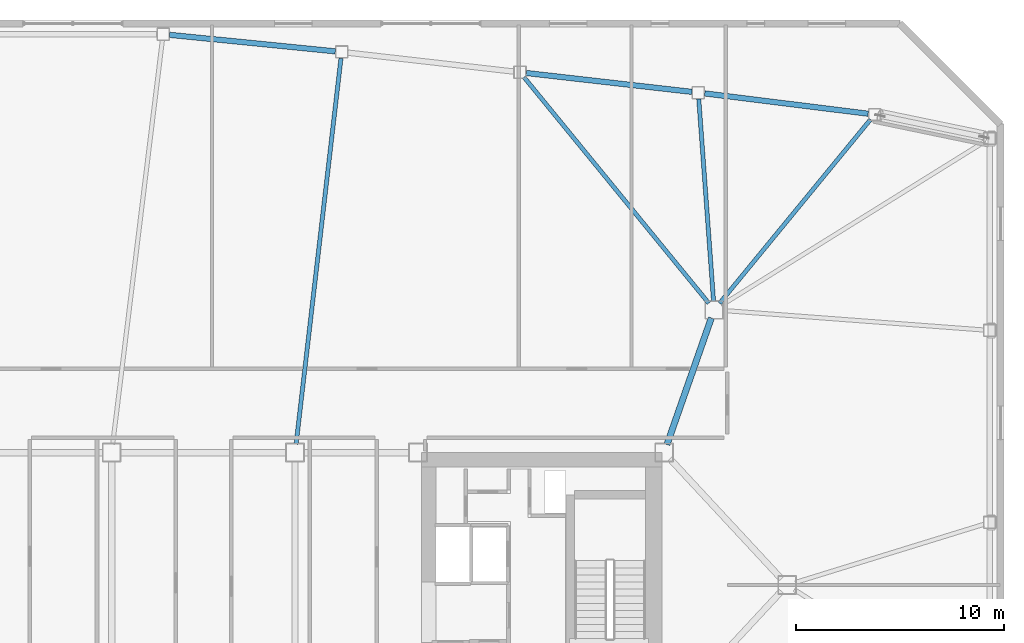
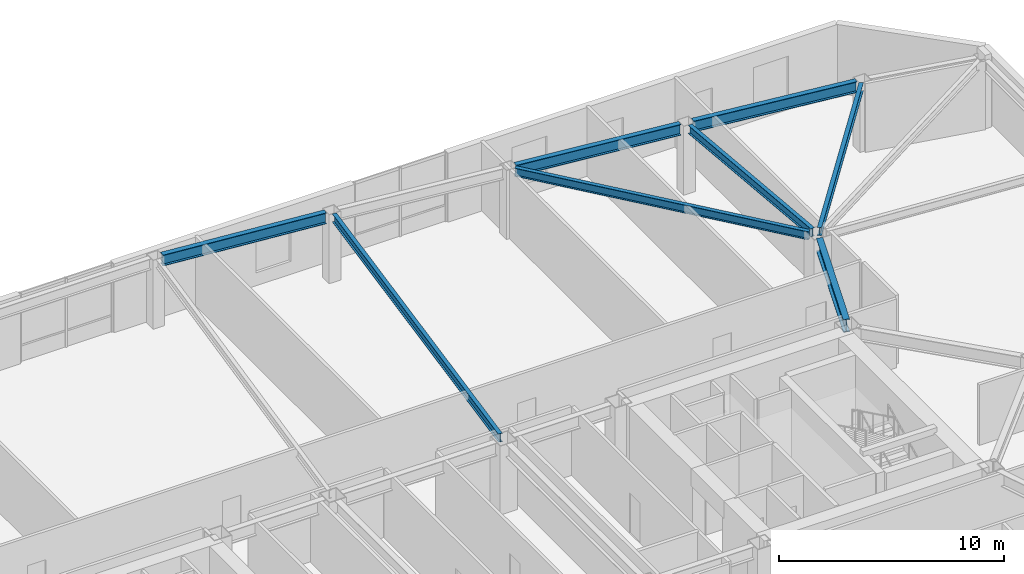
# One storey, part 8 of 19: 8 beams.
"""IFC4 building model written with IfcOpenShell, lengths in metres."""

import ifcopenshell
import ifcopenshell.guid

model = None  # the IFC model being written
_history = None  # IfcOwnerHistory: only IFC2X3 demands one
_inside = {}  # id of a spatial element -> (the spatial element, [elements in it])
_under = {}  # id of a project, library or spatial element -> (it, [spatial elements below it])
_declared = {}  # id of a project -> (the project, [libraries it declares])
_typed = {}  # id of a type object -> (the type object, [elements of that type])
_made_of = {}  # id of a material, layer set ... -> (it, [elements and type objects made of it])


def new_model(schema):
    """Start an empty IFC model of exactly this schema.

    Asked for "IFC4X3", IfcOpenShell would pick the latest addendum, in which some entities
    have other attributes; the version numbers below select the first issue.
    IFC2X3 requires an IfcOwnerHistory on every rooted entity: one is made here for all.
    """
    global model, _history
    if schema == "IFC4X3":
        model = ifcopenshell.file(schema_version=(4, 3, 0, 0))
    else:
        model = ifcopenshell.file(schema=schema)
    _inside.clear()
    _under.clear()
    _declared.clear()
    _typed.clear()
    _made_of.clear()
    _history = None
    if model.schema == "IFC2X3":
        org = make("IfcOrganization", Name="unknown")
        user = make(
            "IfcPersonAndOrganization",
            ThePerson=make("IfcPerson", FamilyName="unknown"),
            TheOrganization=org,
        )
        app = make(
            "IfcApplication",
            ApplicationDeveloper=org,
            Version="unknown",
            ApplicationFullName="unknown",
            ApplicationIdentifier="unknown",
        )
        _history = make(
            "IfcOwnerHistory",
            OwningUser=user,
            OwningApplication=app,
            ChangeAction="ADDED",
            CreationDate=0,
        )
    return model


def make(cls, **values):
    """One entity of the class cls with the attributes given. An attribute that is None is left unset."""
    return model.create_entity(
        cls, **{name: value for name, value in values.items() if value is not None}
    )


def rooted(cls, **values):
    """An entity with a GlobalId (a new one), such as an element, a storey or a relation."""
    return make(cls, GlobalId=ifcopenshell.guid.new(), OwnerHistory=_history, **values)


def si_unit(unit_type, name, prefix=None):
    """IfcSIUnit, for example si_unit("LENGTHUNIT", "METRE", prefix="MILLI")."""
    return make("IfcSIUnit", UnitType=unit_type, Prefix=prefix, Name=name)


def assignment(units):
    """IfcUnitAssignment: the units of a project."""
    return None if units is None else make("IfcUnitAssignment", Units=units)


def point(xyz):
    """IfcCartesianPoint."""
    return None if xyz is None else make("IfcCartesianPoint", Coordinates=xyz)


def direction(xyz):
    """IfcDirection."""
    return None if xyz is None else make("IfcDirection", DirectionRatios=xyz)


def frame(location, z_axis=None, x_axis=None):
    """IfcAxis2Placement3D, a coordinate frame: its origin and axes. An axis left out is left unset."""
    return make(
        "IfcAxis2Placement3D",
        Location=point(location),
        Axis=direction(z_axis),
        RefDirection=direction(x_axis),
    )


def frame_2d(location, x_axis=None):
    """IfcAxis2Placement2D, a coordinate frame in the plane: its origin and x axis."""
    return make(
        "IfcAxis2Placement2D", Location=point(location), RefDirection=direction(x_axis)
    )


def origin():
    """The frame at (0, 0, 0) with its axes left unset."""
    return frame((0.0, 0.0, 0.0))


def origin_2d():
    """The frame at (0, 0) in the plane with its x axis left unset."""
    return frame_2d((0.0, 0.0))


def place(relative_to, where):
    """IfcLocalPlacement: puts the frame where relative to a parent placement (None: the world)."""
    return make(
        "IfcLocalPlacement", PlacementRelTo=relative_to, RelativePlacement=where
    )


def context(
    kind, dimensions, precision=None, world=None, true_north=None, identifier=None
):
    """IfcGeometricRepresentationContext, for example the 3D "Model" context."""
    return make(
        "IfcGeometricRepresentationContext",
        ContextIdentifier=identifier,
        ContextType=kind,
        CoordinateSpaceDimension=dimensions,
        Precision=precision,
        WorldCoordinateSystem=world,
        TrueNorth=true_north,
    )


def subcontext(parent, identifier, kind, view, scale=None):
    """IfcGeometricRepresentationSubContext, for example "Body" below "Model"."""
    return make(
        "IfcGeometricRepresentationSubContext",
        ContextIdentifier=identifier,
        ContextType=kind,
        ParentContext=parent,
        TargetScale=scale,
        TargetView=view,
    )


def project(units=None, contexts=None):
    """IfcProject with its units and contexts."""
    return rooted(
        "IfcProject",
        Name="project",
        RepresentationContexts=contexts,
        UnitsInContext=assignment(units),
    )


def spatial(cls, under=None, at=None, **own):
    """A site, building, storey or space (cls), placed at a placement, below another one or the project."""
    s = rooted(cls, ObjectPlacement=at, **own)
    if under is not None:
        _under.setdefault(under.id(), (under, []))[1].append(s)
    return s


def profile(cls, at=None, kind="AREA", **sizes):
    """A parametric profile (cls). Its sizes go by their IFC names, for example OverallWidth=200.0."""
    return make(cls, ProfileType=kind, Position=at, **sizes)


def i_section(**sizes):
    """IfcIShapeProfileDef."""
    return profile("IfcIShapeProfileDef", **sizes)


def extrude(swept, where, along, depth):
    """IfcExtrudedAreaSolid: the profile swept, set in the frame where, extruded along a direction by depth."""
    return make(
        "IfcExtrudedAreaSolid",
        SweptArea=swept,
        Position=where,
        ExtrudedDirection=direction(along),
        Depth=depth,
    )


def shape(context_of_items, identifier, shape_type, items):
    """IfcShapeRepresentation: the items that make up one representation, for example the "Body"."""
    return make(
        "IfcShapeRepresentation",
        ContextOfItems=context_of_items,
        RepresentationIdentifier=identifier,
        RepresentationType=shape_type,
        Items=items,
    )


def material(Name=None, Category=None):
    """IfcMaterial."""
    return make("IfcMaterial", Name=Name, Category=Category)


def material_profile(
    of_material, cross_section, Name=None, Category=None, Priority=None
):
    """IfcMaterialProfile: a cross section and its material."""
    return make(
        "IfcMaterialProfile",
        Name=Name,
        Material=of_material,
        Profile=cross_section,
        Priority=Priority,
        Category=Category,
    )


def profile_set(profiles, Name=None, composite=None):
    """IfcMaterialProfileSet."""
    return make(
        "IfcMaterialProfileSet",
        Name=Name,
        MaterialProfiles=profiles,
        CompositeProfile=composite,
    )


def made_of(thing, what):
    """Note that an element or type object is made of a material, layer set ...; save() writes the relation."""
    if what is not None:
        _made_of.setdefault(what.id(), (what, []))[1].append(thing)
    return thing


def type_object(cls, material=None, **own):
    """A type object (cls), such as IfcWallType, which elements share."""
    return made_of(rooted(cls, **own), material)


def element(
    cls,
    number,
    at=None,
    inside=None,
    cuts=None,
    type_object=None,
    material=None,
    context=None,
    identifier="Body",
    shape_type=None,
    held_by="IfcProductDefinitionShape",
    body=None,
    shapes=None,
    **own,
):
    """One element of the class cls, such as IfcWall. Its Tag is "e" and its number.

    at: its placement. inside: the storey or other place that contains it. cuts: it is an
    opening in that element (IfcRelVoidsElement). A single representation is given by context,
    identifier, shape_type and body (its items); several are given by shapes. held_by: the class
    of the entity that holds the representations. save() writes the other relations.
    """
    e = rooted(cls, Tag="e%d" % number, ObjectPlacement=at, **own)
    if body is not None:
        shapes = [shape(context, identifier, shape_type, body)]
    if shapes is not None:
        e.Representation = make(held_by, Representations=shapes)
    if inside is not None:
        _inside.setdefault(inside.id(), (inside, []))[1].append(e)
    if cuts is not None:
        rooted(
            "IfcRelVoidsElement", RelatingBuildingElement=cuts, RelatedOpeningElement=e
        )
    if type_object is not None:
        _typed.setdefault(type_object.id(), (type_object, []))[1].append(e)
    return made_of(e, material)


def aggregate(whole, parts):
    """IfcRelAggregates: a whole, such as a stair, and the parts it consists of."""
    return rooted("IfcRelAggregates", RelatingObject=whole, RelatedObjects=parts)


def save(model, path):
    """Write the relations noted so far, then the file.

    IfcRelAggregates (storeys below a building ...), IfcRelContainedInSpatialStructure (elements
    in a storey), IfcRelDefinesByType, IfcRelAssociatesMaterial and IfcRelDeclares: one each for
    every whole, place, type object, material and project.
    """
    for whole, parts in _under.values():
        aggregate(whole, parts)
    for where, things in _inside.values():
        rooted(
            "IfcRelContainedInSpatialStructure",
            RelatedElements=things,
            RelatingStructure=where,
        )
    for kind, things in _typed.values():
        rooted("IfcRelDefinesByType", RelatedObjects=things, RelatingType=kind)
    for what, things in _made_of.values():
        rooted("IfcRelAssociatesMaterial", RelatedObjects=things, RelatingMaterial=what)
    for by, libraries in _declared.values():
        rooted("IfcRelDeclares", RelatingContext=by, RelatedDefinitions=libraries)
    model.write(path)


model = new_model("IFC4")

# Units and contexts
model_context = context("Model", 3, precision=1e-05, world=origin(), true_north=direction((0.0, 1.0)))
body_context = subcontext(model_context, "Body", "Model", "MODEL_VIEW")
ifc_project = project(units=[si_unit("LENGTHUNIT", "METRE"), si_unit("AREAUNIT", "SQUARE_METRE"), si_unit("VOLUMEUNIT", "CUBIC_METRE"), si_unit("PLANEANGLEUNIT", "RADIAN"), si_unit("MASSUNIT", "GRAM", prefix="KILO")], contexts=[model_context])

# Site, building, storey
site_placement = place(None, origin())
site = spatial("IfcSite", under=ifc_project, at=site_placement, CompositionType="ELEMENT")
building_placement = place(site_placement, origin())
building = spatial("IfcBuilding", under=site, at=building_placement, Name="Tavrogorsk Clinical Tower", CompositionType="ELEMENT")
storey_placement = place(building_placement, frame((0.0, 0.0, 156.199951171875)))
storey = spatial("IfcBuildingStorey", under=building, at=storey_placement, Name="L35", CompositionType="ELEMENT", Elevation=156.199951171875)

# Beams
ifc_material_1 = material(Name="Structural steel S355", Category="steel")
ifc_material_profile_1 = material_profile(ifc_material_1, i_section(OverallWidth=0.199951171875, OverallDepth=0.449951171875, WebThickness=0.011474609375, FlangeThickness=0.01806640625, at=origin_2d()), Name="B-450x200x11.5x18")
ifc_profile_set_1 = profile_set([ifc_material_profile_1], Name="Structural steel S355")
beam_type_1 = type_object("IfcBeamType", Name="FloorBeam_B450", PredefinedType="BEAM", material=ifc_profile_set_1)
beam_1_placement = place(storey_placement, frame((24.76025390625, 13.516845703125, 3.51513671875), z_axis=(0.634632561694, 0.772814021377, 0.0), x_axis=(-0.772814021377, 0.634632561694, 0.0)))
element("IfcBeam", 1, at=beam_1_placement, inside=storey, type_object=beam_type_1, Name="L35 Radial Floor Beam N1", PredefinedType="BEAM", context=body_context, shape_type="SweptSolid", body=[
    extrude(i_section(OverallWidth=0.199951171875, OverallDepth=0.449951171875, WebThickness=0.011474609375, FlangeThickness=0.01806640625, at=origin_2d()), origin(), (0.0, 0.0, 1.0), 11.401123046875),
])
beam_2_placement = place(storey_placement, frame((24.469970703125, 13.60888671875, 3.51513671875), z_axis=(-0.072959198524, 0.997334926367, 0.0), x_axis=(-0.997334926367, -0.072959198524, 0.0)))
element("IfcBeam", 2, at=beam_2_placement, inside=storey, type_object=beam_type_1, Name="L35 Radial Floor Beam N2", PredefinedType="BEAM", context=body_context, shape_type="SweptSolid", body=[
    extrude(i_section(OverallWidth=0.199951171875, OverallDepth=0.449951171875, WebThickness=0.011474609375, FlangeThickness=0.01806640625, at=origin_2d()), origin(), (0.0, 0.0, 1.0), 9.7275390625),
])
beam_3_placement = place(storey_placement, frame((24.240478515625, 13.517333984375, 3.51513671875), z_axis=(-0.632957552123, 0.774186500277, 0.0), x_axis=(-0.774186500277, -0.632957552123, 0.0)))
element("IfcBeam", 3, at=beam_3_placement, inside=storey, type_object=beam_type_1, Name="L35 Radial Floor Beam N3", PredefinedType="BEAM", context=body_context, shape_type="SweptSolid", body=[
    extrude(i_section(OverallWidth=0.199951171875, OverallDepth=0.449951171875, WebThickness=0.011474609375, FlangeThickness=0.01806640625, at=origin_2d()), origin(), (0.0, 0.0, 1.0), 13.9970703125),
])
beam_4_placement = place(storey_placement, frame((4.447265625, 6.75732421875, 3.51513671875), z_axis=(0.115490633481, 0.993308569166, 0.0), x_axis=(-0.993308569166, 0.115490633481, 0.0)))
element("IfcBeam", 4, at=beam_4_placement, inside=storey, type_object=beam_type_1, Name="L35 Radial Floor Beam N4", PredefinedType="BEAM", context=body_context, shape_type="SweptSolid", body=[
    extrude(i_section(OverallWidth=0.199951171875, OverallDepth=0.449951171875, WebThickness=0.011474609375, FlangeThickness=0.01806640625, at=origin_2d()), origin(), (0.0, 0.0, 1.0), 18.628173828125),
])
ifc_material_2 = material(Name="Structural steel S390", Category="steel")
ifc_material_profile_2 = material_profile(ifc_material_2, i_section(OverallWidth=0.300048828125, OverallDepth=0.699951171875, WebThickness=0.01708984375, FlangeThickness=0.028076171875, at=origin_2d()), Name="B-700x300x17x28")
ifc_profile_set_2 = profile_set([ifc_material_profile_2], Name="Structural steel S390")
beam_type_2 = type_object("IfcBeamType", Name="PrimaryGirder_B700", PredefinedType="USERDEFINED", material=ifc_profile_set_2)
beam_5_placement = place(storey_placement, frame((24.364501953125, 12.81298828125, 3.39013671875), z_axis=(-0.330673031392, -0.94374538214, 0.0), x_axis=(0.94374538214, -0.330673031392, 0.0)))
element("IfcBeam", 5, at=beam_5_placement, inside=storey, type_object=beam_type_2, Name="L35 Spine Link Girder OPG-4", ObjectType="GIRDER", PredefinedType="USERDEFINED", context=body_context, shape_type="SweptSolid", body=[
    extrude(i_section(OverallWidth=0.300048828125, OverallDepth=0.699951171875, WebThickness=0.01708984375, FlangeThickness=0.028076171875, at=origin_2d()), origin(), (0.0, 0.0, 1.0), 6.43798828125),
])
ifc_material_3 = material(Name="Structural steel S390", Category="steel")
ifc_material_profile_3 = material_profile(ifc_material_3, i_section(OverallWidth=0.260009765625, OverallDepth=0.60009765625, WebThickness=0.014892578125, FlangeThickness=0.02392578125, at=origin_2d()), Name="B-600x260x15x24")
ifc_profile_set_3 = profile_set([ifc_material_profile_3], Name="Structural steel S390")
beam_type_3 = type_object("IfcBeamType", Name="SpandrelBeam_B600", PredefinedType="SPANDREL", material=ifc_profile_set_3)
beam_6_placement = place(storey_placement, frame((31.8857421875, 22.60400390625, 3.43994140625), z_axis=(-0.992347112015, 0.123479590521, 0.0), x_axis=(-0.123479590521, -0.992347112015, 0.0)))
element("IfcBeam", 6, at=beam_6_placement, inside=storey, type_object=beam_type_3, Name="L35 Perimeter Spandrel N1-N2", PredefinedType="SPANDREL", context=body_context, shape_type="SweptSolid", body=[
    extrude(i_section(OverallWidth=0.260009765625, OverallDepth=0.60009765625, WebThickness=0.014892578125, FlangeThickness=0.02392578125, at=origin_2d()), origin(), (0.0, 0.0, 1.0), 7.90283203125),
])
beam_7_placement = place(storey_placement, frame((23.431884765625, 23.652587890625, 3.43994140625), z_axis=(-0.993569841398, 0.113220891465, 0.0), x_axis=(-0.113220891465, -0.993569841398, 0.0)))
element("IfcBeam", 7, at=beam_7_placement, inside=storey, type_object=beam_type_3, Name="L35 Perimeter Spandrel N2-N3", PredefinedType="SPANDREL", context=body_context, shape_type="SweptSolid", body=[
    extrude(i_section(OverallWidth=0.260009765625, OverallDepth=0.60009765625, WebThickness=0.014892578125, FlangeThickness=0.02392578125, at=origin_2d()), origin(), (0.0, 0.0, 1.0), 7.9912109375),
])
beam_8_placement = place(storey_placement, frame((6.32763671875, 25.59716796875, 3.43994140625), z_axis=(-0.995074624158, 0.099128665666, 0.0), x_axis=(-0.099128665666, -0.995074624158, 0.0)))
element("IfcBeam", 8, at=beam_8_placement, inside=storey, type_object=beam_type_3, Name="L35 Perimeter Spandrel N4-N5", PredefinedType="SPANDREL", context=body_context, shape_type="SweptSolid", body=[
    extrude(i_section(OverallWidth=0.260009765625, OverallDepth=0.60009765625, WebThickness=0.014892578125, FlangeThickness=0.02392578125, at=origin_2d()), origin(), (0.0, 0.0, 1.0), 7.991943359375),
])

save(model, "model.ifc")
